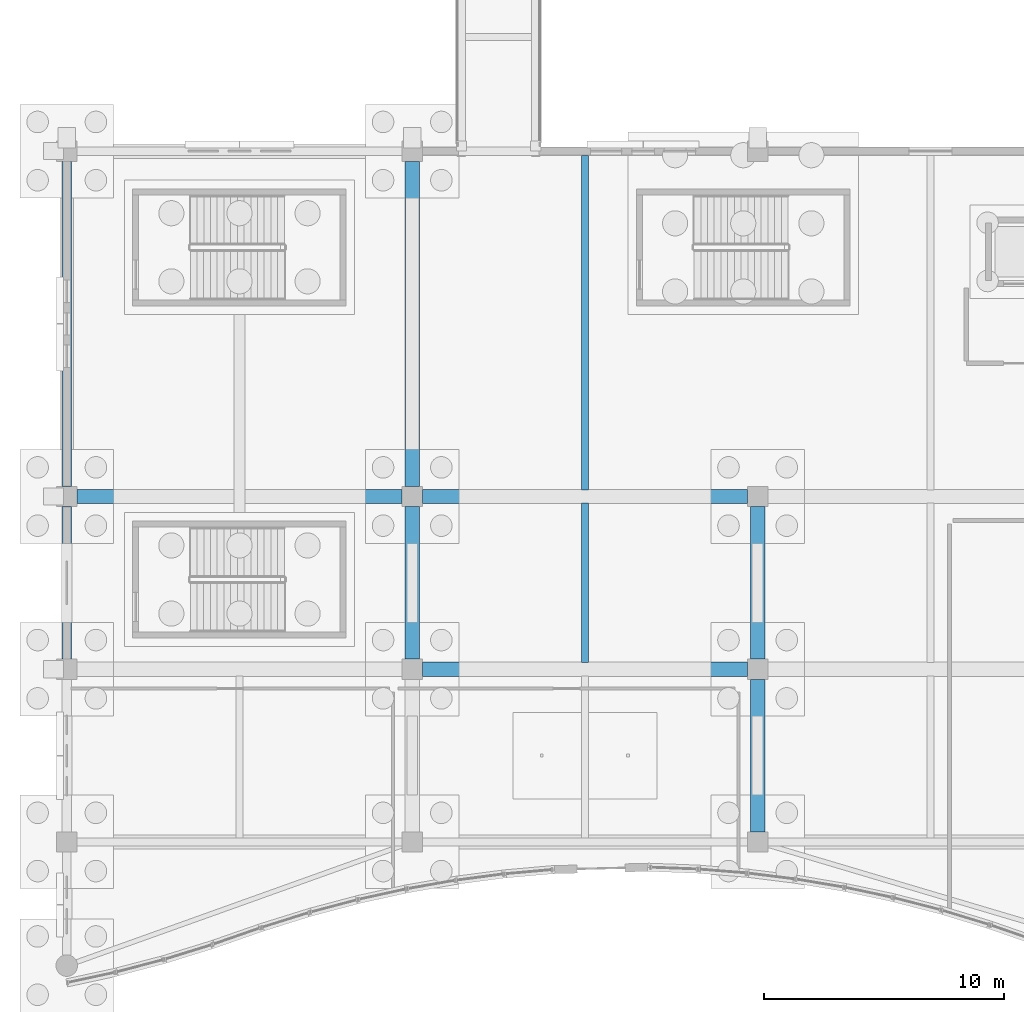
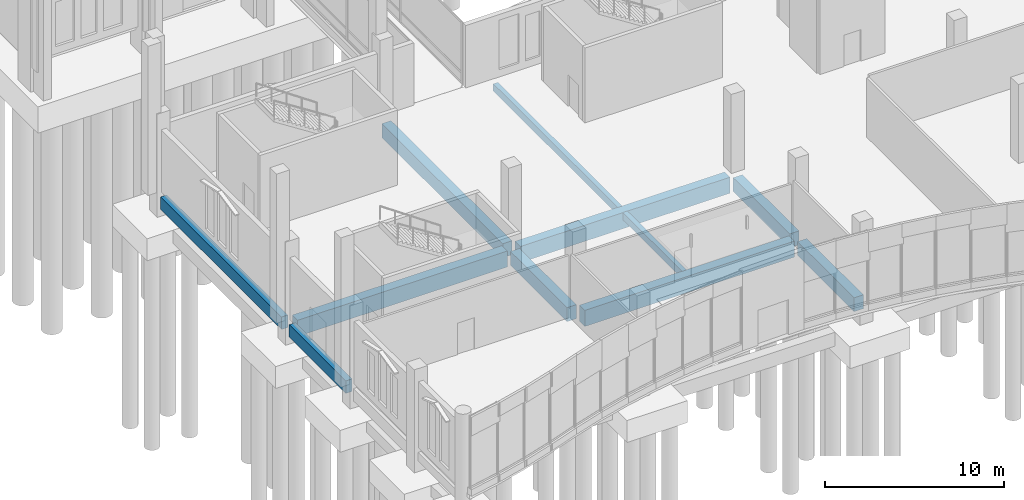
# One storey, part 26 of 192: 11 beams.
"""IFC4 building model written with IfcOpenShell, lengths in metres."""

from ifc_helpers import new_model, si_unit, direction, frame, origin, origin_2d, place, context, subcontext, project, spatial, rectangle, extrude, material, material_profile, profile_set, type_object, element, save


model = new_model("IFC4")

# Units and contexts
model_context = context("Model", 3, precision=1e-05, world=origin(), true_north=direction((0.0, 1.0)))
body_context = subcontext(model_context, "Body", "Model", "MODEL_VIEW")
ifc_project = project(units=[si_unit("LENGTHUNIT", "METRE"), si_unit("AREAUNIT", "SQUARE_METRE"), si_unit("VOLUMEUNIT", "CUBIC_METRE"), si_unit("PLANEANGLEUNIT", "RADIAN"), si_unit("MASSUNIT", "GRAM", prefix="KILO")], contexts=[model_context])

# Site, building, storey
site_placement = place(None, origin())
site = spatial("IfcSite", under=ifc_project, at=site_placement, CompositionType="ELEMENT")
building_placement = place(site_placement, origin())
building = spatial("IfcBuilding", under=site, at=building_placement, Name="Cendralis Lancet Convention Centre", CompositionType="ELEMENT")
storey_placement = place(building_placement, origin())
storey = spatial("IfcBuildingStorey", under=building, at=storey_placement, Name="L00", CompositionType="ELEMENT", Elevation=0.0)

# Beams
ifc_material_1 = material(Name="Concrete G40 (C40/50)", Category="concrete")
ifc_material_profile_1 = material_profile(ifc_material_1, rectangle(XDim=0.60009765625, YDim=1.10009765625, at=origin_2d()), Name="RCB 600x1100")
ifc_profile_set_1 = profile_set([ifc_material_profile_1], Name="Concrete G40 (C40/50)")
beam_type_1 = type_object("IfcBeamType", Name="STR-BM-BG02", PredefinedType="BEAM", material=ifc_profile_set_1)
for number, where, z_axis, x_axis, name in (
    (1, (14.824951171875, 14.39990234375, -0.8701171875), (1.0, 0.0, 0.0), (0.0, 1.0, 0.0), "L00 Beam BG02 #0663"),
    (2, (0.425048828125, 21.60009765625, -0.8701171875), (1.0, 0.0, 0.0), (0.0, 1.0, 0.0), "L00 Beam BG02 #0672"),
    (3, (14.824951171875, 21.60009765625, -0.8701171875), (1.0, 0.0, 0.0), (0.0, 1.0, 0.0), "L00 Beam BG02 #0673"),
):
    element("IfcBeam", number, at=place(storey_placement, frame(where, z_axis=z_axis, x_axis=x_axis)), inside=storey, type_object=beam_type_1, Name=name, PredefinedType="BEAM", context=body_context, shape_type="SweptSolid", body=[
        extrude(rectangle(XDim=0.60009765625, YDim=1.10009765625, at=origin_2d()), origin(), (0.0, 0.0, 1.0), 13.550048828125),
    ])
ifc_material_profile_2 = material_profile(ifc_material_1, rectangle(XDim=0.60009765625, YDim=0.949951171875, at=origin_2d()), Name="RCB 600x950")
ifc_profile_set_2 = profile_set([ifc_material_profile_2], Name="Concrete G40 (C40/50)")
beam_type_2 = type_object("IfcBeamType", Name="STR-BM-BG04", PredefinedType="BEAM", material=ifc_profile_set_2)
beam_1_placement = place(storey_placement, frame((14.39990234375, 14.824951171875, -0.794921875), z_axis=(0.0, 1.0, 0.0), x_axis=(-1.0, 0.0, 0.0)))
element("IfcBeam", 4, at=beam_1_placement, inside=storey, type_object=beam_type_2, Name="L00 Beam BG04 #0696", PredefinedType="BEAM", context=body_context, shape_type="SweptSolid", body=[
    extrude(rectangle(XDim=0.60009765625, YDim=0.949951171875, at=origin_2d()), origin(), (0.0, 0.0, 1.0), 6.35009765625),
])
beam_2_placement = place(storey_placement, frame((14.39990234375, 22.02490234375, -0.794921875), z_axis=(0.0, 1.0, 0.0), x_axis=(-1.0, 0.0, 0.0)))
element("IfcBeam", 5, at=beam_2_placement, inside=storey, type_object=beam_type_2, Name="L00 Beam BG04 #0697", PredefinedType="BEAM", context=body_context, shape_type="SweptSolid", body=[
    extrude(rectangle(XDim=0.60009765625, YDim=0.949951171875, at=origin_2d()), origin(), (0.0, 0.0, 1.0), 13.550048828125),
])
for number, where, z_axis, x_axis, name in (
    (6, (28.800048828125, 7.625, -0.794921875), (0.0, 1.0, 0.0), (-1.0, 0.0, 0.0), "L00 Beam BG04 #0698"),
    (7, (28.800048828125, 14.824951171875, -0.794921875), (0.0, 1.0, 0.0), (-1.0, 0.0, 0.0), "L00 Beam BG04 #0699"),
):
    element("IfcBeam", number, at=place(storey_placement, frame(where, z_axis=z_axis, x_axis=x_axis)), inside=storey, type_object=beam_type_2, Name=name, PredefinedType="BEAM", context=body_context, shape_type="SweptSolid", body=[
        extrude(rectangle(XDim=0.60009765625, YDim=0.949951171875, at=origin_2d()), origin(), (0.0, 0.0, 1.0), 6.35009765625),
    ])
ifc_material_2 = material(Name="Concrete G35 (C35/45)", Category="concrete")
ifc_material_profile_3 = material_profile(ifc_material_2, rectangle(XDim=0.300048828125, YDim=0.5, at=origin_2d()), Name="RCB 300x500")
ifc_profile_set_3 = profile_set([ifc_material_profile_3], Name="Concrete G35 (C35/45)")
beam_type_3 = type_object("IfcBeamType", Name="STR-JS-BJ03", PredefinedType="JOIST", material=ifc_profile_set_3)
beam_3_placement = place(storey_placement, frame((21.60009765625, 14.675048828125, -0.570068359375), z_axis=(0.0, 1.0, 0.0), x_axis=(-1.0, 0.0, 0.0)))
element("IfcBeam", 8, at=beam_3_placement, inside=storey, type_object=beam_type_3, Name="L00 Beam BJ03 #0721", PredefinedType="JOIST", context=body_context, shape_type="SweptSolid", body=[
    extrude(rectangle(XDim=0.300048828125, YDim=0.5, at=origin_2d()), origin(), (0.0, 0.0, 1.0), 6.64990234375),
])
beam_4_placement = place(storey_placement, frame((21.60009765625, 21.875, -0.570068359375), z_axis=(0.0, 1.0, 0.0), x_axis=(-1.0, 0.0, 0.0)))
element("IfcBeam", 9, at=beam_4_placement, inside=storey, type_object=beam_type_3, Name="L00 Beam BJ03 #0722", PredefinedType="JOIST", context=body_context, shape_type="SweptSolid", body=[
    extrude(rectangle(XDim=0.300048828125, YDim=0.5, at=origin_2d()), origin(), (0.0, 0.0, 1.0), 13.949951171875),
])
ifc_material_profile_4 = material_profile(ifc_material_1, rectangle(XDim=0.39990234375, YDim=0.85009765625, at=origin_2d()), Name="RCB 400x850")
ifc_profile_set_4 = profile_set([ifc_material_profile_4], Name="Concrete G40 (C40/50)")
beam_type_4 = type_object("IfcBeamType", Name="STR-SP-SP02", PredefinedType="SPANDREL", material=ifc_profile_set_4)
beam_5_placement = place(storey_placement, frame((0.0, 14.824951171875, -0.7451171875), z_axis=(0.0, 1.0, 0.0), x_axis=(-1.0, 0.0, 0.0)))
element("IfcBeam", 10, at=beam_5_placement, inside=storey, type_object=beam_type_4, Name="L00 Beam SP02 #0693", PredefinedType="SPANDREL", context=body_context, shape_type="SweptSolid", body=[
    extrude(rectangle(XDim=0.39990234375, YDim=0.85009765625, at=origin_2d()), origin(), (0.0, 0.0, 1.0), 6.35009765625),
])
beam_6_placement = place(storey_placement, frame((0.0, 22.02490234375, -0.7451171875), z_axis=(0.0, 1.0, 0.0), x_axis=(-1.0, 0.0, 0.0)))
element("IfcBeam", 11, at=beam_6_placement, inside=storey, type_object=beam_type_4, Name="L00 Beam SP02 #0694", PredefinedType="SPANDREL", context=body_context, shape_type="SweptSolid", body=[
    extrude(rectangle(XDim=0.39990234375, YDim=0.85009765625, at=origin_2d()), origin(), (0.0, 0.0, 1.0), 13.550048828125),
])

save(model, "model.ifc")
